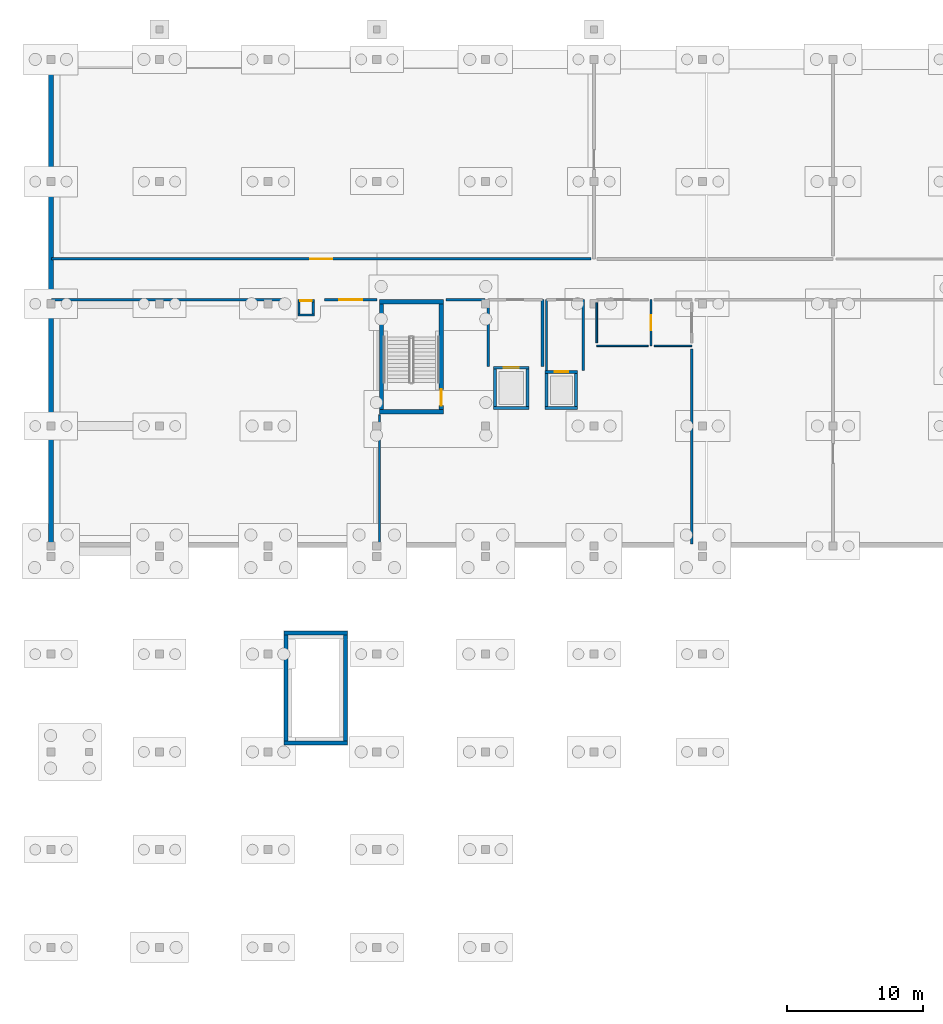
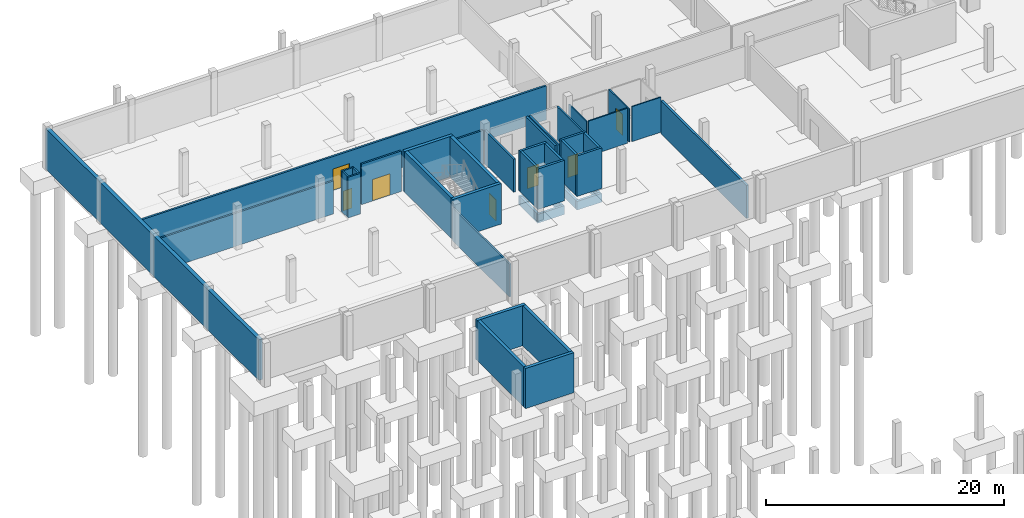
# One storey, part 19 of 36: 43 walls, 7 doors, 7 openings.
"""IFC4 building model written with IfcOpenShell, lengths in metres."""

from ifc_helpers import new_model, si_unit, direction, frame, frame_2d, origin, place, context, subcontext, project, spatial, rectangle, extrude, material, layer, layer_set, type_object, element, fill, save


model = new_model("IFC4")

# Units and contexts
model_context = context("Model", 3, precision=1e-05, world=origin(), true_north=direction((0.0, 1.0)))
body_context = subcontext(model_context, "Body", "Model", "MODEL_VIEW")
ifc_project = project(units=[si_unit("LENGTHUNIT", "METRE"), si_unit("AREAUNIT", "SQUARE_METRE"), si_unit("VOLUMEUNIT", "CUBIC_METRE"), si_unit("PLANEANGLEUNIT", "RADIAN"), si_unit("MASSUNIT", "GRAM", prefix="KILO")], contexts=[model_context])

# Site, building, storey
site_placement = place(None, origin())
site = spatial("IfcSite", under=ifc_project, at=site_placement, CompositionType="ELEMENT")
building_placement = place(site_placement, origin())
building = spatial("IfcBuilding", under=site, at=building_placement, Name="Chiffa Square Polytechnic", CompositionType="ELEMENT")
storey_placement = place(building_placement, frame((0.0, 0.0, -4.5)))
storey = spatial("IfcBuildingStorey", under=building, at=storey_placement, Name="B1", CompositionType="ELEMENT", Elevation=-4.5)

# Walls
ifc_material_1 = material(Name="Concrete C40/50", Category="concrete")
ifc_layer_1 = layer(ifc_material_1, 0.300048828125, Name="Concrete C40/50")
ifc_layer_set_1 = layer_set([ifc_layer_1], Name="Concrete C40/50")
wall_type_1 = type_object("IfcWallType", Name="WL-CORE-300", PredefinedType="SHEAR", material=ifc_layer_set_1)
for number, where, z_axis, x_axis, name in (
    (1, (24.199951171875, 104.85009765625, 0.0), (0.0, 0.0, 1.0), (1.0, 0.0, 0.0), "Core or enclosure wall WC-CORE-V5A-B1-SOUTH"),
    (2, (24.199951171875, 112.949951171875, 0.0), (0.0, 0.0, 1.0), (1.0, 0.0, 0.0), "Core or enclosure wall WC-CORE-V5A-B1-NORTH"),
):
    element("IfcWall", number, at=place(storey_placement, frame(where, z_axis=z_axis, x_axis=x_axis)), inside=storey, type_object=wall_type_1, Name=name, PredefinedType="SHEAR", context=body_context, shape_type="SweptSolid", body=[
        extrude(rectangle(XDim=4.699951171875, YDim=0.300048828125, at=frame_2d((2.35009765625, 0.0))), origin(), (0.0, 0.0, 1.0), 4.14990234375),
    ])
wall_1_placement = place(storey_placement, frame((24.35009765625, 105.0, 0.0), z_axis=(0.0, 0.0, 1.0), x_axis=(0.0, 1.0, 0.0)))
element("IfcWall", 3, at=wall_1_placement, inside=storey, type_object=wall_type_1, Name="Core or enclosure wall WC-CORE-V5A-B1-WEST", PredefinedType="SHEAR", context=body_context, shape_type="SweptSolid", body=[
    extrude(rectangle(XDim=7.800048828125, YDim=0.300048828125, at=frame_2d((3.89990234375, 0.0))), origin(), (0.0, 0.0, 1.0), 4.14990234375),
])

# Wall, opening, door
wall_2_placement = place(storey_placement, frame((28.75, 105.0, 0.0), z_axis=(0.0, 0.0, 1.0), x_axis=(0.0, 1.0, 0.0)))
wall_2 = element("IfcWall", 4, at=wall_2_placement, inside=storey, type_object=wall_type_1, Name="Core or enclosure wall WC-CORE-V5A-B1-EAST", PredefinedType="SHEAR", context=body_context, shape_type="SweptSolid", body=[
    extrude(rectangle(XDim=7.800048828125, YDim=0.300048828125, at=frame_2d((3.89990234375, 0.0))), origin(), (0.0, 0.0, 1.0), 4.14990234375),
])
opening_1_placement = place(wall_2_placement, frame((0.300048828125, 0.0, 0.0)))
opening_1 = element("IfcOpeningElement", 5, at=opening_1_placement, cuts=wall_2, Name="Opening DS-B1-031", PredefinedType="OPENING", context=body_context, shape_type="SweptSolid", body=[
    extrude(rectangle(XDim=1.199951171875, YDim=2.14990234375, at=frame_2d((0.60009765625, 1.074951171875))), frame((0.0, 0.16015625, 0.0), z_axis=(0.0, -1.0, 0.0), x_axis=(1.0, 0.0, 0.0)), (0.0, 0.0, 1.0), 0.320068359375),
])
ifc_material_2 = material(Name="Fire-rated painted steel leaf", Category="steel")
door_type_1 = type_object("IfcDoorType", Name="DR-STAIR-1200", OperationType="NOTDEFINED", PredefinedType="DOOR", material=ifc_material_2)
door_1_placement = place(opening_1_placement, origin())
door_1 = element("IfcDoor", 6, at=door_1_placement, inside=storey, type_object=door_type_1, Name="Enclosure door DS-B1-031", OperationType="SINGLE_SWING_LEFT", OverallHeight=2.14990234375, OverallWidth=1.199951171875, PredefinedType="DOOR", context=body_context, shape_type="SweptSolid", body=[
    extrude(rectangle(XDim=1.199951171875, YDim=2.14990234375, at=frame_2d((0.60009765625, 1.074951171875))), frame((0.0, 0.02490234375, 0.0), z_axis=(0.0, -1.0, 0.0), x_axis=(1.0, 0.0, 0.0)), (0.0, 0.0, 1.0), 0.050048828125),
])
fill(opening_1, door_1)

# Walls
for number, where, z_axis, x_axis, name in (
    (7, (17.14990234375, 80.449951171875, 0.0), (0.0, 0.0, 1.0), (1.0, 0.0, 0.0), "Core or enclosure wall WCSUB-CORE-V6B-B1-SOUTH"),
    (8, (17.14990234375, 88.550048828125, 0.0), (0.0, 0.0, 1.0), (1.0, 0.0, 0.0), "Core or enclosure wall WCSUB-CORE-V6B-B1-NORTH"),
):
    element("IfcWall", number, at=place(storey_placement, frame(where, z_axis=z_axis, x_axis=x_axis)), inside=storey, type_object=wall_type_1, Name=name, PredefinedType="SHEAR", context=body_context, shape_type="SweptSolid", body=[
        extrude(rectangle(XDim=4.7001953125, YDim=0.300048828125, at=frame_2d((2.35009765625, 0.0))), origin(), (0.0, 0.0, 1.0), 4.10009765625),
    ])
for number, where, z_axis, x_axis, name in (
    (9, (17.300048828125, 80.60009765625, 0.0), (0.0, 0.0, 1.0), (0.0, 1.0, 0.0), "Core or enclosure wall WCSUB-CORE-V6B-B1-WEST"),
    (10, (21.699951171875, 80.60009765625, 0.0), (0.0, 0.0, 1.0), (0.0, 1.0, 0.0), "Core or enclosure wall WCSUB-CORE-V6B-B1-EAST"),
):
    element("IfcWall", number, at=place(storey_placement, frame(where, z_axis=z_axis, x_axis=x_axis)), inside=storey, type_object=wall_type_1, Name=name, PredefinedType="SHEAR", context=body_context, shape_type="SweptSolid", body=[
        extrude(rectangle(XDim=7.7998046875, YDim=0.300048828125, at=frame_2d((3.89990234375, 0.0))), origin(), (0.0, 0.0, 1.0), 4.10009765625),
    ])
ifc_material_3 = material(Name="Gypsum board on steel stud", Category="steel")
ifc_layer_2 = layer(ifc_material_3, 0.14501953125, Name="Gypsum board on steel stud")
ifc_layer_set_2 = layer_set([ifc_layer_2], Name="Gypsum board on steel stud")
wall_type_2 = type_object("IfcWallType", Name="WL-PART-145", PredefinedType="PARTITIONING", material=ifc_layer_set_2)
wall_3_placement = place(storey_placement, frame((24.199951171875, 95.10498046875, 0.0), z_axis=(0.0, 0.0, 1.0), x_axis=(0.0, 1.0, 0.0)))
element("IfcWall", 11, at=wall_3_placement, inside=storey, type_object=wall_type_2, Name="Interior partition WP-V5-B1-0045", PredefinedType="PARTITIONING", context=body_context, shape_type="SweptSolid", body=[
    extrude(rectangle(XDim=9.505126953125, YDim=0.14501953125, at=frame_2d((4.75244140625, 0.0))), origin(), (0.0, 0.0, 1.0), 3.385009765625),
])
ifc_material_4 = material(Name="Autoclaved aerated concrete blockwork", Category="masonry")
ifc_layer_3 = layer(ifc_material_4, 0.199951171875, Name="Autoclaved aerated concrete blockwork")
ifc_layer_set_3 = layer_set([ifc_layer_3], Name="Autoclaved aerated concrete blockwork")
wall_type_3 = type_object("IfcWallType", Name="WL-PART-EI120-200", PredefinedType="PARTITIONING", material=ifc_layer_set_3)
for number, where, z_axis, x_axis, name in (
    (12, (32.199951171875, 108.199951171875, 0.0), (0.0, 0.0, 1.0), (0.0, 1.0, 0.0), "Lift lobby rated enclosure WP-LOB-LF-V5-B1-WEST"),
    (13, (36.199951171875, 108.199951171875, 0.0), (0.0, 0.0, 1.0), (0.0, 1.0, 0.0), "Lift lobby rated enclosure WP-LOB-LF-V5-B1-EAST"),
):
    element("IfcWall", number, at=place(storey_placement, frame(where, z_axis=z_axis, x_axis=x_axis)), inside=storey, type_object=wall_type_3, Name=name, PredefinedType="PARTITIONING", context=body_context, shape_type="SweptSolid", body=[
        extrude(rectangle(XDim=4.900146484375, YDim=0.199951171875, at=frame_2d((2.4501953125, 0.0))), origin(), (0.0, 0.0, 1.0), 3.385009765625),
    ])
wall_4_placement = place(storey_placement, frame((47.199951171875, 95.10498046875, 0.0), z_axis=(0.0, 0.0, 1.0), x_axis=(0.0, 1.0, 0.0)))
element("IfcWall", 14, at=wall_4_placement, inside=storey, type_object=wall_type_3, Name="Interior partition WP-V5-B1-0036", PredefinedType="PARTITIONING", context=body_context, shape_type="SweptSolid", body=[
    extrude(rectangle(XDim=14.375, YDim=0.199951171875, at=frame_2d((7.1875, 0.0))), origin(), (0.0, 0.0, 1.0), 3.385009765625),
])
ifc_material_5 = material(Name="Gypsum board on acoustic steel stud", Category="steel")
ifc_layer_4 = layer(ifc_material_5, 0.159912109375, Name="Gypsum board on acoustic steel stud")
ifc_layer_set_4 = layer_set([ifc_layer_4], Name="Gypsum board on acoustic steel stud")
wall_type_4 = type_object("IfcWallType", Name="WL-PART-EI60-160", PredefinedType="PARTITIONING", material=ifc_layer_set_4)
wall_5_placement = place(storey_placement, frame((18.199951171875, 111.97998046875, 0.0), z_axis=(0.0, 0.0, 1.0), x_axis=(1.0, 0.0, 0.0)))
element("IfcWall", 15, at=wall_5_placement, inside=storey, type_object=wall_type_4, Name="Core or enclosure wall WP-RSR-V5-W-B1-SOUTH", PredefinedType="PARTITIONING", context=body_context, shape_type="SweptSolid", body=[
    extrude(rectangle(XDim=1.199951171875, YDim=0.159912109375, at=frame_2d((0.60009765625, 0.0))), origin(), (0.0, 0.0, 1.0), 4.14990234375),
])

# Wall, opening, door
wall_6_placement = place(storey_placement, frame((18.199951171875, 113.02001953125, 0.0), z_axis=(0.0, 0.0, 1.0), x_axis=(1.0, 0.0, 0.0)))
wall_6 = element("IfcWall", 16, at=wall_6_placement, inside=storey, type_object=wall_type_4, Name="Core or enclosure wall WP-RSR-V5-W-B1-NORTH", PredefinedType="PARTITIONING", context=body_context, shape_type="SweptSolid", body=[
    extrude(rectangle(XDim=1.199951171875, YDim=0.159912109375, at=frame_2d((0.60009765625, 0.0))), origin(), (0.0, 0.0, 1.0), 4.14990234375),
])
opening_2_placement = place(wall_6_placement, frame((0.175048828125, 0.0, 0.0)))
opening_2 = element("IfcOpeningElement", 17, at=opening_2_placement, cuts=wall_6, Name="Opening DI-B1-R01", PredefinedType="OPENING", context=body_context, shape_type="SweptSolid", body=[
    extrude(rectangle(XDim=0.85009765625, YDim=2.02001953125, at=frame_2d((0.425048828125, 1.010009765625))), frame((0.0, 0.08984375, 0.0), z_axis=(0.0, -1.0, 0.0), x_axis=(1.0, 0.0, 0.0)), (0.0, 0.0, 1.0), 0.179931640625),
])
ifc_material_6 = material(Name="Fire-rated steel riser access door", Category="steel")
door_type_2 = type_object("IfcDoorType", Name="DR-RISER-850", OperationType="NOTDEFINED", PredefinedType="DOOR", material=ifc_material_6)
door_2_placement = place(opening_2_placement, origin())
door_2 = element("IfcDoor", 18, at=door_2_placement, inside=storey, type_object=door_type_2, Name="Enclosure door DI-B1-R01", OperationType="SINGLE_SWING_LEFT", OverallHeight=2.02001953125, OverallWidth=0.85009765625, PredefinedType="DOOR", context=body_context, shape_type="SweptSolid", body=[
    extrude(rectangle(XDim=0.85009765625, YDim=2.02001953125, at=frame_2d((0.425048828125, 1.010009765625))), frame((0.0, 0.02490234375, 0.0), z_axis=(0.0, -1.0, 0.0), x_axis=(1.0, 0.0, 0.0)), (0.0, 0.0, 1.0), 0.050048828125),
])
fill(opening_2, door_2)

# Walls
for number, where, z_axis, x_axis, name in (
    (19, (18.280029296875, 112.06005859375, 0.0), (0.0, 0.0, 1.0), (0.0, 1.0, 0.0), "Core or enclosure wall WP-RSR-V5-W-B1-WEST"),
    (20, (19.320068359375, 112.06005859375, 0.0), (0.0, 0.0, 1.0), (0.0, 1.0, 0.0), "Core or enclosure wall WP-RSR-V5-W-B1-EAST"),
):
    element("IfcWall", number, at=place(storey_placement, frame(where, z_axis=z_axis, x_axis=x_axis)), inside=storey, type_object=wall_type_4, Name=name, PredefinedType="PARTITIONING", context=body_context, shape_type="SweptSolid", body=[
        extrude(rectangle(XDim=0.8798828125, YDim=0.159912109375, at=frame_2d((0.43994140625, 0.0))), origin(), (0.0, 0.0, 1.0), 4.14990234375),
    ])
for number, where, z_axis, x_axis, name in (
    (21, (36.5, 107.89990234375, 0.0), (0.0, 0.0, 1.0), (0.0, 1.0, 0.0), "Lift lobby rated enclosure WP-LOB-LP-V5A-B1-WEST"),
    (22, (39.199951171875, 107.89990234375, 0.0), (0.0, 0.0, 1.0), (0.0, 1.0, 0.0), "Lift lobby rated enclosure WP-LOB-LP-V5A-B1-EAST"),
):
    element("IfcWall", number, at=place(storey_placement, frame(where, z_axis=z_axis, x_axis=x_axis)), inside=storey, type_object=wall_type_4, Name=name, PredefinedType="PARTITIONING", context=body_context, shape_type="SweptSolid", body=[
        extrude(rectangle(XDim=5.2001953125, YDim=0.159912109375, at=frame_2d((2.60009765625, 0.0))), origin(), (0.0, 0.0, 1.0), 3.385009765625),
    ])

# Wall, opening, door
wall_7_placement = place(storey_placement, frame((20.14599609375, 113.10009765625, 0.0), z_axis=(0.0, 0.0, 1.0), x_axis=(1.0, 0.0, 0.0)))
wall_7 = element("IfcWall", 23, at=wall_7_placement, inside=storey, type_object=wall_type_4, Name="Interior partition WP-V5-B1-0043", PredefinedType="PARTITIONING", context=body_context, shape_type="SweptSolid", body=[
    extrude(rectangle(XDim=3.866943359375, YDim=0.159912109375, at=frame_2d((1.93359375, 0.0))), origin(), (0.0, 0.0, 1.0), 4.14990234375),
])
opening_3_placement = place(wall_7_placement, frame((1.083984375, 0.0, 0.0)))
opening_3 = element("IfcOpeningElement", 24, at=opening_3_placement, cuts=wall_7, Name="Opening DI-B1-061", PredefinedType="OPENING", context=body_context, shape_type="SweptSolid", body=[
    extrude(rectangle(XDim=1.699951171875, YDim=2.199951171875, at=frame_2d((0.85009765625, 1.10009765625))), frame((0.0, 0.08984375, 0.0), z_axis=(0.0, -1.0, 0.0), x_axis=(1.0, 0.0, 0.0)), (0.0, 0.0, 1.0), 0.179931640625),
])
ifc_material_7 = material(Name="Steel-faced workshop double door", Category="steel")
door_type_3 = type_object("IfcDoorType", Name="DR-WKS-DBL-1700", OperationType="DOUBLE_DOOR_SINGLE_SWING", PredefinedType="DOOR", material=ifc_material_7)
door_3_placement = place(opening_3_placement, origin())
door_3 = element("IfcDoor", 25, at=door_3_placement, inside=storey, type_object=door_type_3, Name="Interior room door DI-B1-061", OperationType="DOUBLE_DOOR_SINGLE_SWING", OverallHeight=2.199951171875, OverallWidth=1.699951171875, PredefinedType="DOOR", context=body_context, shape_type="SweptSolid", body=[
    extrude(rectangle(XDim=1.699951171875, YDim=2.199951171875, at=frame_2d((0.85009765625, 1.10009765625))), frame((0.0, 0.02490234375, 0.0), z_axis=(0.0, -1.0, 0.0), x_axis=(1.0, 0.0, 0.0)), (0.0, 0.0, 1.0), 0.050048828125),
])
fill(opening_3, door_3)

# Walls
wall_8_placement = place(storey_placement, frame((0.054931640625, 113.10009765625, 0.0), z_axis=(0.0, 0.0, 1.0), x_axis=(1.0, 0.0, 0.0)))
element("IfcWall", 26, at=wall_8_placement, inside=storey, type_object=wall_type_4, Name="Interior partition WP-V5-B1-0044", PredefinedType="PARTITIONING", context=body_context, shape_type="SweptSolid", body=[
    extrude(rectangle(XDim=17.399169921875, YDim=0.159912109375, at=frame_2d((8.69970703125, 0.0))), origin(), (0.0, 0.0, 1.0), 3.385009765625),
])
wall_9_placement = place(storey_placement, frame((29.0869140625, 113.10009765625, 0.0), z_axis=(0.0, 0.0, 1.0), x_axis=(1.0, 0.0, 0.0)))
element("IfcWall", 27, at=wall_9_placement, inside=storey, type_object=wall_type_4, Name="Interior partition WP-V5-B1-0064", PredefinedType="PARTITIONING", context=body_context, shape_type="SweptSolid", body=[
    extrude(rectangle(XDim=2.873046875, YDim=0.159912109375, at=frame_2d((1.4365234375, 0.0))), origin(), (0.0, 0.0, 1.0), 3.485107421875),
])

# Wall, opening, door
ifc_material_8 = material(Name="Gypsum board on twin steel stud", Category="steel")
ifc_layer_5 = layer(ifc_material_8, 0.18505859375, Name="Gypsum board on twin steel stud")
ifc_layer_set_5 = layer_set([ifc_layer_5], Name="Gypsum board on twin steel stud")
wall_type_5 = type_object("IfcWallType", Name="WL-PART-EI90-185", PredefinedType="PARTITIONING", material=ifc_layer_set_5)
wall_10_placement = place(storey_placement, frame((0.054931640625, 116.10009765625, 0.0), z_axis=(0.0, 0.0, 1.0), x_axis=(1.0, 0.0, 0.0)))
wall_10 = element("IfcWall", 28, at=wall_10_placement, inside=storey, type_object=wall_type_5, Name="Interior partition WP-V5-B1-0056", PredefinedType="PARTITIONING", context=body_context, shape_type="SweptSolid", body=[
    extrude(rectangle(XDim=39.72509765625, YDim=0.18505859375, at=frame_2d((19.862548828125, 0.0))), origin(), (0.0, 0.0, 1.0), 3.485107421875),
])
opening_4_placement = place(wall_10_placement, frame((19.06201171875, 0.0, 0.0)))
opening_4 = element("IfcOpeningElement", 29, at=opening_4_placement, cuts=wall_10, Name="Opening DI-B1-063", PredefinedType="OPENING", context=body_context, shape_type="SweptSolid", body=[
    extrude(rectangle(XDim=1.60009765625, YDim=2.199951171875, at=frame_2d((0.800048828125, 1.10009765625))), frame((0.0, 0.1025390625, 0.0), z_axis=(0.0, -1.0, 0.0), x_axis=(1.0, 0.0, 0.0)), (0.0, 0.0, 1.0), 0.205078125),
])
ifc_material_9 = material(Name="Vision-panel timber laboratory door", Category="wood")
door_type_4 = type_object("IfcDoorType", Name="DR-LAB-DBL-1600", OperationType="DOUBLE_DOOR_SINGLE_SWING", PredefinedType="DOOR", material=ifc_material_9)
door_4_placement = place(opening_4_placement, origin())
door_4 = element("IfcDoor", 30, at=door_4_placement, inside=storey, type_object=door_type_4, Name="Interior room door DI-B1-063", OperationType="DOUBLE_DOOR_SINGLE_SWING", OverallHeight=2.199951171875, OverallWidth=1.60009765625, PredefinedType="DOOR", context=body_context, shape_type="SweptSolid", body=[
    extrude(rectangle(XDim=1.60009765625, YDim=2.199951171875, at=frame_2d((0.800048828125, 1.10009765625))), frame((0.0, 0.02490234375, 0.0), z_axis=(0.0, -1.0, 0.0), x_axis=(1.0, 0.0, 0.0)), (0.0, 0.0, 1.0), 0.050048828125),
])
fill(opening_4, door_4)

ifc_material_10 = material(Name="Moisture-resistant board partition")
ifc_layer_6 = layer(ifc_material_10, 0.1201171875, Name="Moisture-resistant board partition")
ifc_layer_set_6 = layer_set([ifc_layer_6], Name="Moisture-resistant board partition")
wall_type_6 = type_object("IfcWallType", Name="WL-PART-WC-120", PredefinedType="PARTITIONING", material=ifc_layer_set_6)
wall_11_placement = place(storey_placement, frame((44.199951171875, 109.699951171875, 0.0), z_axis=(0.0, 0.0, 1.0), x_axis=(0.0, 1.0, 0.0)))
wall_11 = element("IfcWall", 31, at=wall_11_placement, inside=storey, type_object=wall_type_6, Name="Interior partition WP-V5-B1-0001", PredefinedType="PARTITIONING", context=body_context, shape_type="SweptSolid", body=[
    extrude(rectangle(XDim=3.400146484375, YDim=0.1201171875, at=frame_2d((1.7001953125, 0.0))), origin(), (0.0, 0.0, 1.0), 3.385009765625),
])
opening_5_placement = place(wall_11_placement, frame((1.14990234375, 0.0, 0.0)))
opening_5 = element("IfcOpeningElement", 32, at=opening_5_placement, cuts=wall_11, Name="Opening DI-B1-048", PredefinedType="OPENING", context=body_context, shape_type="SweptSolid", body=[
    extrude(rectangle(XDim=1.10009765625, YDim=2.14990234375, at=frame_2d((0.550048828125, 1.074951171875))), frame((0.0, 0.070068359375, 0.0), z_axis=(0.0, -1.0, 0.0), x_axis=(1.0, 0.0, 0.0)), (0.0, 0.0, 1.0), 0.14013671875),
])
ifc_material_11 = material(Name="Solid core ash veneer door")
door_type_5 = type_object("IfcDoorType", Name="DR-INT-1100", OperationType="NOTDEFINED", PredefinedType="DOOR", material=ifc_material_11)
door_5_placement = place(opening_5_placement, origin())
door_5 = element("IfcDoor", 33, at=door_5_placement, inside=storey, type_object=door_type_5, Name="Interior room door DI-B1-048", OperationType="SINGLE_SWING_LEFT", OverallHeight=2.14990234375, OverallWidth=1.10009765625, PredefinedType="DOOR", context=body_context, shape_type="SweptSolid", body=[
    extrude(rectangle(XDim=1.10009765625, YDim=2.14990234375, at=frame_2d((0.550048828125, 1.074951171875))), frame((0.0, 0.02490234375, 0.0), z_axis=(0.0, -1.0, 0.0), x_axis=(1.0, 0.0, 0.0)), (0.0, 0.0, 1.0), 0.050048828125),
])
fill(opening_5, door_5)

# Walls
wall_12_placement = place(storey_placement, frame((44.419921875, 109.699951171875, 0.0), z_axis=(0.0, 0.0, 1.0), x_axis=(1.0, 0.0, 0.0)))
element("IfcWall", 34, at=wall_12_placement, inside=storey, type_object=wall_type_6, Name="Interior partition WP-V5-B1-0002", PredefinedType="PARTITIONING", context=body_context, shape_type="SweptSolid", body=[
    extrude(rectangle(XDim=2.780029296875, YDim=0.1201171875, at=frame_2d((1.39013671875, 0.0))), origin(), (0.0, 0.0, 1.0), 3.5849609375),
])
wall_13_placement = place(storey_placement, frame((40.199951171875, 109.699951171875, 0.0), z_axis=(0.0, 0.0, 1.0), x_axis=(1.0, 0.0, 0.0)))
element("IfcWall", 35, at=wall_13_placement, inside=storey, type_object=wall_type_6, Name="Interior partition WP-V5-B1-0006", PredefinedType="PARTITIONING", context=body_context, shape_type="SweptSolid", body=[
    extrude(rectangle(XDim=3.780029296875, YDim=0.1201171875, at=frame_2d((1.89013671875, 0.0))), origin(), (0.0, 0.0, 1.0), 3.5849609375),
])
wall_14_placement = place(storey_placement, frame((40.199951171875, 109.919921875, 0.0), z_axis=(0.0, 0.0, 1.0), x_axis=(0.0, 1.0, 0.0)))
element("IfcWall", 36, at=wall_14_placement, inside=storey, type_object=wall_type_6, Name="Interior partition WP-V5-B1-0007", PredefinedType="PARTITIONING", context=body_context, shape_type="SweptSolid", body=[
    extrude(rectangle(XDim=2.9599609375, YDim=0.1201171875, at=frame_2d((1.47998046875, 0.0))), origin(), (0.0, 0.0, 1.0), 3.385009765625),
])
ifc_material_12 = material(Name="Concrete C35/45", Category="concrete")
ifc_layer_7 = layer(ifc_material_12, 0.360107421875, Name="Concrete C35/45")
ifc_layer_set_7 = layer_set([ifc_layer_7], Name="Concrete C35/45")
wall_type_7 = type_object("IfcWallType", Name="WL-RET-360", PredefinedType="USERDEFINED", material=ifc_layer_set_7)
wall_15_placement = place(storey_placement, frame((0.0, 130.800048828125, 0.0), z_axis=(0.0, 0.0, 1.0), x_axis=(0.0, -1.0, 0.0)))
element("IfcWall", 37, at=wall_15_placement, inside=storey, type_object=wall_type_7, Name="Basement retaining wall WE-V5-B1-0220", ObjectType="RETAININGWALL", PredefinedType="USERDEFINED", context=body_context, shape_type="SweptSolid", body=[
    extrude(rectangle(XDim=35.75, YDim=0.360107421875, at=frame_2d((17.875, 0.0))), origin(), (0.0, 0.0, 1.0), 4.14990234375),
])
ifc_layer_8 = layer(ifc_material_12, 0.219970703125, Name="Concrete C35/45")
ifc_layer_set_8 = layer_set([ifc_layer_8], Name="Concrete C35/45")
wall_type_8 = type_object("IfcWallType", Name="WL-SHAFT-220", PredefinedType="SHEAR", material=ifc_layer_set_8)
for number, where, z_axis, x_axis, name in (
    (38, (32.60009765625, 105.110107421875, -1.39990234375), (0.0, 0.0, 1.0), (1.0, 0.0, 0.0), "Core or enclosure wall WS-PIT-LF-V5-B1-SOUTH"),
    (39, (32.60009765625, 108.090087890625, -1.39990234375), (0.0, 0.0, 1.0), (1.0, 0.0, 0.0), "Core or enclosure wall WS-PIT-LF-V5-B1-NORTH"),
):
    element("IfcWall", number, at=place(storey_placement, frame(where, z_axis=z_axis, x_axis=x_axis)), inside=storey, type_object=wall_type_8, Name=name, PredefinedType="SHEAR", context=body_context, shape_type="SweptSolid", body=[
        extrude(rectangle(XDim=2.599853515625, YDim=0.219970703125, at=frame_2d((1.2998046875, 0.0))), origin(), (0.0, 0.0, 1.0), 0.89990234375),
    ])
for number, where, z_axis, x_axis, name in (
    (40, (32.7099609375, 105.219970703125, -1.39990234375), (0.0, 0.0, 1.0), (0.0, 1.0, 0.0), "Core or enclosure wall WS-PIT-LF-V5-B1-WEST"),
    (41, (35.090087890625, 105.219970703125, -1.39990234375), (0.0, 0.0, 1.0), (0.0, 1.0, 0.0), "Core or enclosure wall WS-PIT-LF-V5-B1-EAST"),
):
    element("IfcWall", number, at=place(storey_placement, frame(where, z_axis=z_axis, x_axis=x_axis)), inside=storey, type_object=wall_type_8, Name=name, PredefinedType="SHEAR", context=body_context, shape_type="SweptSolid", body=[
        extrude(rectangle(XDim=2.760009765625, YDim=0.219970703125, at=frame_2d((1.3798828125, 0.0))), origin(), (0.0, 0.0, 1.0), 0.89990234375),
    ])
wall_16_placement = place(storey_placement, frame((32.60009765625, 105.110107421875, 0.0), z_axis=(0.0, 0.0, 1.0), x_axis=(1.0, 0.0, 0.0)))
element("IfcWall", 42, at=wall_16_placement, inside=storey, type_object=wall_type_8, Name="Core or enclosure wall WS-LF-V5-B1-SOUTH", PredefinedType="SHEAR", context=body_context, shape_type="SweptSolid", body=[
    extrude(rectangle(XDim=2.599853515625, YDim=0.219970703125, at=frame_2d((1.2998046875, 0.0))), origin(), (0.0, 0.0, 1.0), 4.14990234375),
])

# Wall, opening, door
wall_17_placement = place(storey_placement, frame((32.60009765625, 108.090087890625, 0.0), z_axis=(0.0, 0.0, 1.0), x_axis=(1.0, 0.0, 0.0)))
wall_17 = element("IfcWall", 43, at=wall_17_placement, inside=storey, type_object=wall_type_8, Name="Core or enclosure wall WS-LF-V5-B1-NORTH", PredefinedType="SHEAR", context=body_context, shape_type="SweptSolid", body=[
    extrude(rectangle(XDim=2.599853515625, YDim=0.219970703125, at=frame_2d((1.2998046875, 0.0))), origin(), (0.0, 0.0, 1.0), 4.14990234375),
])
opening_6_placement = place(wall_17_placement, frame((0.75, 0.0, 0.0)))
opening_6 = element("IfcOpeningElement", 44, at=opening_6_placement, cuts=wall_17, Name="Opening LD-LF-V5-B1", PredefinedType="OPENING", context=body_context, shape_type="SweptSolid", body=[
    extrude(rectangle(XDim=1.10009765625, YDim=2.14990234375, at=frame_2d((0.550048828125, 1.074951171875))), frame((0.0, 0.1201171875, 0.0), z_axis=(0.0, -1.0, 0.0), x_axis=(1.0, 0.0, 0.0)), (0.0, 0.0, 1.0), 0.239990234375),
])
ifc_material_13 = material(Name="Brushed stainless steel sliding landing door", Category="steel")
door_type_6 = type_object("IfcDoorType", Name="DR-LIFT-1100", OperationType="SLIDING_TO_LEFT", PredefinedType="DOOR", material=ifc_material_13)
door_6_placement = place(opening_6_placement, origin())
door_6 = element("IfcDoor", 45, at=door_6_placement, inside=storey, type_object=door_type_6, Name="Enclosure door LD-LF-V5-B1", OperationType="SLIDING_TO_LEFT", OverallHeight=2.14990234375, OverallWidth=1.10009765625, PredefinedType="DOOR", context=body_context, shape_type="SweptSolid", body=[
    extrude(rectangle(XDim=1.10009765625, YDim=2.14990234375, at=frame_2d((0.550048828125, 1.074951171875))), frame((0.0, 0.02490234375, 0.0), z_axis=(0.0, -1.0, 0.0), x_axis=(1.0, 0.0, 0.0)), (0.0, 0.0, 1.0), 0.050048828125),
])
fill(opening_6, door_6)

# Walls
for number, where, z_axis, x_axis, name in (
    (46, (32.7099609375, 105.219970703125, 0.0), (0.0, 0.0, 1.0), (0.0, 1.0, 0.0), "Core or enclosure wall WS-LF-V5-B1-WEST"),
    (47, (35.090087890625, 105.219970703125, 0.0), (0.0, 0.0, 1.0), (0.0, 1.0, 0.0), "Core or enclosure wall WS-LF-V5-B1-EAST"),
):
    element("IfcWall", number, at=place(storey_placement, frame(where, z_axis=z_axis, x_axis=x_axis)), inside=storey, type_object=wall_type_8, Name=name, PredefinedType="SHEAR", context=body_context, shape_type="SweptSolid", body=[
        extrude(rectangle(XDim=2.760009765625, YDim=0.219970703125, at=frame_2d((1.3798828125, 0.0))), origin(), (0.0, 0.0, 1.0), 4.14990234375),
    ])
for number, where, z_axis, x_axis, name in (
    (48, (36.39990234375, 105.110107421875, -1.39990234375), (0.0, 0.0, 1.0), (1.0, 0.0, 0.0), "Core or enclosure wall WS-PIT-LP-V5A-B1-SOUTH"),
    (49, (36.39990234375, 107.7900390625, -1.39990234375), (0.0, 0.0, 1.0), (1.0, 0.0, 0.0), "Core or enclosure wall WS-PIT-LP-V5A-B1-NORTH"),
):
    element("IfcWall", number, at=place(storey_placement, frame(where, z_axis=z_axis, x_axis=x_axis)), inside=storey, type_object=wall_type_8, Name=name, PredefinedType="SHEAR", context=body_context, shape_type="SweptSolid", body=[
        extrude(rectangle(XDim=2.400146484375, YDim=0.219970703125, at=frame_2d((1.2001953125, 0.0))), origin(), (0.0, 0.0, 1.0), 0.89990234375),
    ])
for number, where, z_axis, x_axis, name in (
    (50, (36.510009765625, 105.219970703125, -1.39990234375), (0.0, 0.0, 1.0), (0.0, 1.0, 0.0), "Core or enclosure wall WS-PIT-LP-V5A-B1-WEST"),
    (51, (38.68994140625, 105.219970703125, -1.39990234375), (0.0, 0.0, 1.0), (0.0, 1.0, 0.0), "Core or enclosure wall WS-PIT-LP-V5A-B1-EAST"),
):
    element("IfcWall", number, at=place(storey_placement, frame(where, z_axis=z_axis, x_axis=x_axis)), inside=storey, type_object=wall_type_8, Name=name, PredefinedType="SHEAR", context=body_context, shape_type="SweptSolid", body=[
        extrude(rectangle(XDim=2.4599609375, YDim=0.219970703125, at=frame_2d((1.22998046875, 0.0))), origin(), (0.0, 0.0, 1.0), 0.89990234375),
    ])
wall_18_placement = place(storey_placement, frame((36.39990234375, 105.110107421875, 0.0), z_axis=(0.0, 0.0, 1.0), x_axis=(1.0, 0.0, 0.0)))
element("IfcWall", 52, at=wall_18_placement, inside=storey, type_object=wall_type_8, Name="Core or enclosure wall WS-LP-V5A-B1-SOUTH", PredefinedType="SHEAR", context=body_context, shape_type="SweptSolid", body=[
    extrude(rectangle(XDim=2.400146484375, YDim=0.219970703125, at=frame_2d((1.2001953125, 0.0))), origin(), (0.0, 0.0, 1.0), 4.14990234375),
])

# Wall, opening, door
wall_19_placement = place(storey_placement, frame((36.39990234375, 107.7900390625, 0.0), z_axis=(0.0, 0.0, 1.0), x_axis=(1.0, 0.0, 0.0)))
wall_19 = element("IfcWall", 53, at=wall_19_placement, inside=storey, type_object=wall_type_8, Name="Core or enclosure wall WS-LP-V5A-B1-NORTH", PredefinedType="SHEAR", context=body_context, shape_type="SweptSolid", body=[
    extrude(rectangle(XDim=2.400146484375, YDim=0.219970703125, at=frame_2d((1.2001953125, 0.0))), origin(), (0.0, 0.0, 1.0), 4.14990234375),
])
opening_7_placement = place(wall_19_placement, frame((0.699951171875, 0.0, 0.0)))
opening_7 = element("IfcOpeningElement", 54, at=opening_7_placement, cuts=wall_19, Name="Opening LD-LP-V5A-B1", PredefinedType="OPENING", context=body_context, shape_type="SweptSolid", body=[
    extrude(rectangle(XDim=1.0, YDim=2.14990234375, at=frame_2d((0.5, 1.074951171875))), frame((0.0, 0.1201171875, 0.0), z_axis=(0.0, -1.0, 0.0), x_axis=(1.0, 0.0, 0.0)), (0.0, 0.0, 1.0), 0.239990234375),
])
door_type_7 = type_object("IfcDoorType", Name="DR-LIFT-1000", OperationType="SLIDING_TO_RIGHT", PredefinedType="DOOR", material=ifc_material_13)
door_7_placement = place(opening_7_placement, origin())
door_7 = element("IfcDoor", 55, at=door_7_placement, inside=storey, type_object=door_type_7, Name="Enclosure door LD-LP-V5A-B1", OperationType="SLIDING_TO_RIGHT", OverallHeight=2.14990234375, OverallWidth=1.0, PredefinedType="DOOR", context=body_context, shape_type="SweptSolid", body=[
    extrude(rectangle(XDim=1.0, YDim=2.14990234375, at=frame_2d((0.5, 1.074951171875))), frame((0.0, 0.02490234375, 0.0), z_axis=(0.0, -1.0, 0.0), x_axis=(1.0, 0.0, 0.0)), (0.0, 0.0, 1.0), 0.050048828125),
])
fill(opening_7, door_7)

# Walls
for number, where, z_axis, x_axis, name in (
    (56, (36.510009765625, 105.219970703125, 0.0), (0.0, 0.0, 1.0), (0.0, 1.0, 0.0), "Core or enclosure wall WS-LP-V5A-B1-WEST"),
    (57, (38.68994140625, 105.219970703125, 0.0), (0.0, 0.0, 1.0), (0.0, 1.0, 0.0), "Core or enclosure wall WS-LP-V5A-B1-EAST"),
):
    element("IfcWall", number, at=place(storey_placement, frame(where, z_axis=z_axis, x_axis=x_axis)), inside=storey, type_object=wall_type_8, Name=name, PredefinedType="SHEAR", context=body_context, shape_type="SweptSolid", body=[
        extrude(rectangle(XDim=2.4599609375, YDim=0.219970703125, at=frame_2d((1.22998046875, 0.0))), origin(), (0.0, 0.0, 1.0), 4.14990234375),
    ])

save(model, "model.ifc")
